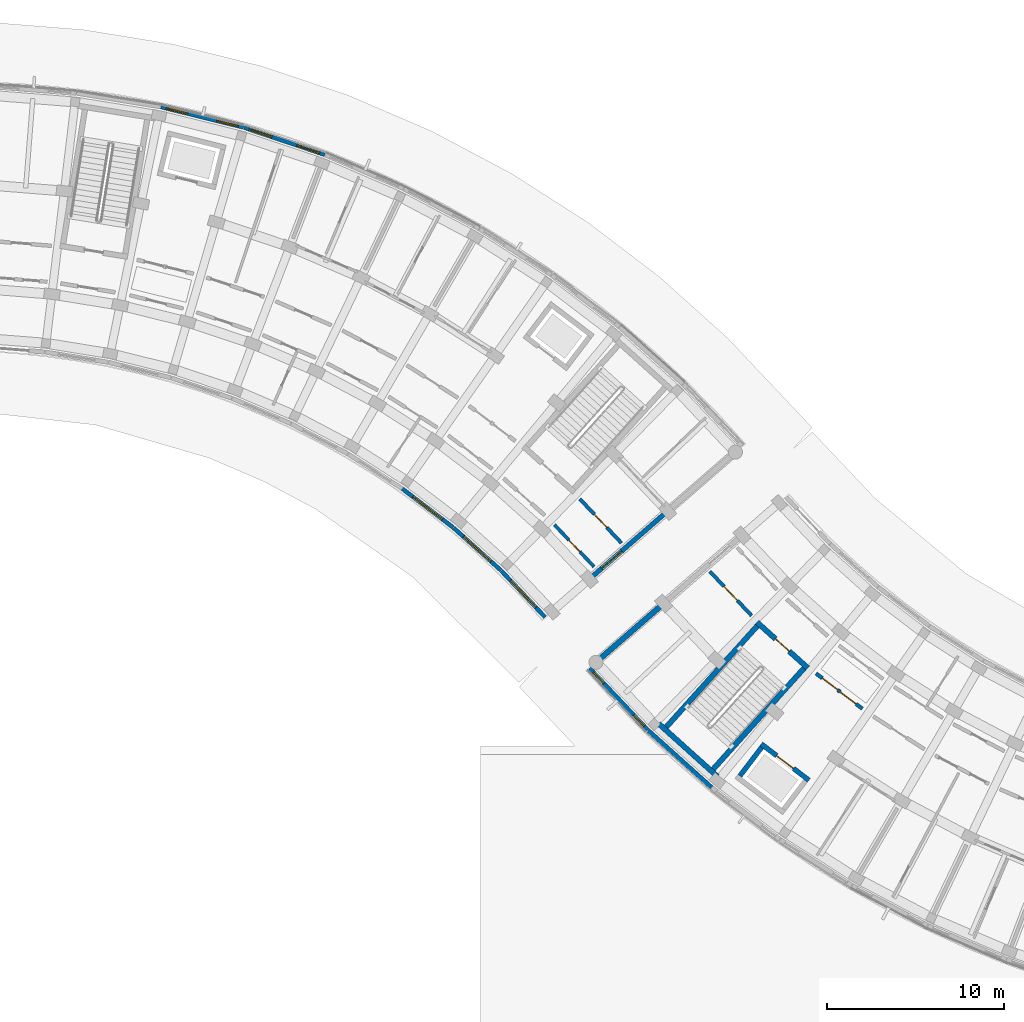
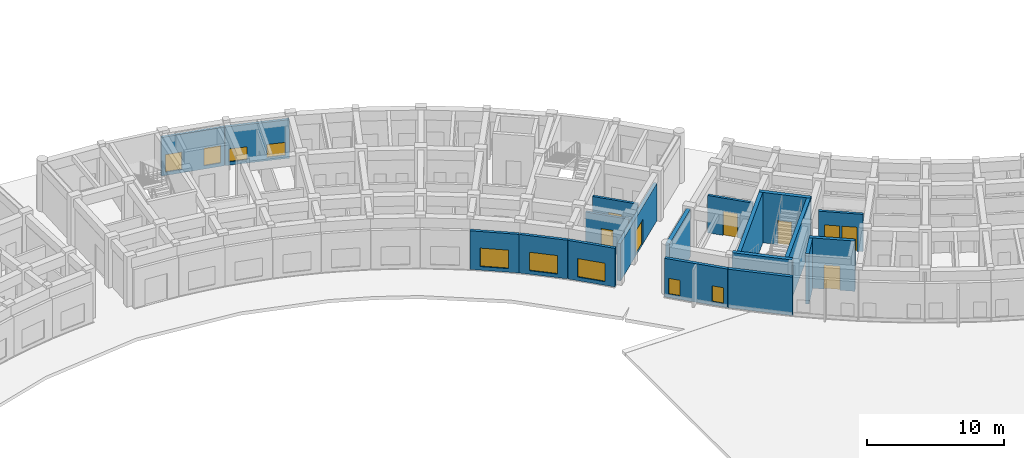
# One storey, part 36 of 61: 19 walls, 9 windows, 8 doors, 17 openings.
"""IFC4 building model written with IfcOpenShell, lengths in metres."""

from ifc_helpers import new_model, si_unit, direction, frame, frame_2d, origin, place, context, subcontext, project, spatial, rectangle, extrude, material, layer, layer_set, type_object, element, fill, save


model = new_model("IFC4")

# Units and contexts
model_context = context("Model", 3, precision=1e-05, world=origin(), true_north=direction((0.0, 1.0)))
body_context = subcontext(model_context, "Body", "Model", "MODEL_VIEW")
ifc_project = project(units=[si_unit("LENGTHUNIT", "METRE"), si_unit("AREAUNIT", "SQUARE_METRE"), si_unit("VOLUMEUNIT", "CUBIC_METRE"), si_unit("PLANEANGLEUNIT", "RADIAN"), si_unit("MASSUNIT", "GRAM", prefix="KILO")], contexts=[model_context])

# Site, building, storey
site_placement = place(None, origin())
site = spatial("IfcSite", under=ifc_project, at=site_placement, CompositionType="ELEMENT")
building_placement = place(site_placement, origin())
building = spatial("IfcBuilding", under=site, at=building_placement, Name="Zimvara Arc Housing Community", CompositionType="ELEMENT")
storey_placement = place(building_placement, origin())
storey = spatial("IfcBuildingStorey", under=building, at=storey_placement, Name="L00", CompositionType="ELEMENT", Elevation=0.0)

# Wall, opening, window
ifc_material_1 = material(Name="Board-Marked Fair-Faced Concrete C35/45", Category="concrete")
ifc_layer_1 = layer(ifc_material_1, 0.22998046875)
ifc_layer_set_1 = layer_set([ifc_layer_1], Name="Board-Marked Fair-Faced Concrete C35/45")
wall_type_1 = type_object("IfcWallType", Name="EWL-CONC-230", PredefinedType="SOLIDWALL", material=ifc_layer_set_1)
wall_1_placement = place(storey_placement, frame((70.583251953125, 81.056396484375, 0.0), z_axis=(0.0, 0.0, 1.0), x_axis=(0.795473707045, -0.605988103349, 0.0)))
wall_1 = element("IfcWall", 1, at=wall_1_placement, inside=storey, type_object=wall_type_1, Name="ewall:blkB:L00:in:b7", PredefinedType="SOLIDWALL", context=body_context, shape_type="SweptSolid", body=[
    extrude(rectangle(XDim=3.603759765625, YDim=0.22998046875, at=frame_2d((1.8017578125, 0.0))), origin(), (0.0, 0.0, 1.0), 3.449951171875),
])
opening_1_placement = place(wall_1_placement, frame((0.751708984375, 0.0, 0.320068359375)))
opening_1 = element("IfcOpeningElement", 2, at=opening_1_placement, cuts=wall_1, Name="Opening W09", PredefinedType="OPENING", context=body_context, shape_type="SweptSolid", body=[
    extrude(rectangle(XDim=2.10009765625, YDim=1.64990234375, at=frame_2d((1.050048828125, 0.824951171875))), frame((0.0, 0.125, 0.0), z_axis=(0.0, -1.0, 0.0), x_axis=(1.0, 0.0, 0.0)), (0.0, 0.0, 1.0), 0.25),
])
ifc_material_2 = material(Name="Solar Control Low-E Double Glazing", Category="glass")
window_type_1 = type_object("IfcWindowType", Name="WIN-RES-2100x1650", PartitioningType="TRIPLE_PANEL_VERTICAL", PredefinedType="WINDOW", material=ifc_material_2)
window_1_placement = place(opening_1_placement, origin())
window_1 = element("IfcWindow", 3, at=window_1_placement, inside=storey, type_object=window_type_1, Name="win:blkB:L00:in:b7", OverallHeight=1.64990234375, OverallWidth=2.10009765625, PartitioningType="TRIPLE_PANEL_VERTICAL", PredefinedType="WINDOW", context=body_context, shape_type="SweptSolid", body=[
    extrude(rectangle(XDim=2.10009765625, YDim=1.64990234375, at=frame_2d((1.050048828125, 0.824951171875))), frame((0.0, 0.030029296875, 0.0), z_axis=(0.0, -1.0, 0.0), x_axis=(1.0, 0.0, 0.0)), (0.0, 0.0, 1.0), 0.06005859375),
])
fill(opening_1, window_1)

wall_2_placement = place(storey_placement, frame((73.480712890625, 78.84716796875, 0.0), z_axis=(0.0, 0.0, 1.0), x_axis=(0.743385092197, -0.668863666751, 0.0)))
wall_2 = element("IfcWall", 4, at=wall_2_placement, inside=storey, type_object=wall_type_1, Name="ewall:blkB:L00:in:b8", PredefinedType="SOLIDWALL", context=body_context, shape_type="SweptSolid", body=[
    extrude(rectangle(XDim=3.603759765625, YDim=0.22998046875, at=frame_2d((1.8017578125, 0.0))), origin(), (0.0, 0.0, 1.0), 3.449951171875),
])
opening_2_placement = place(wall_2_placement, frame((0.751708984375, 0.0, 0.320068359375)))
opening_2 = element("IfcOpeningElement", 5, at=opening_2_placement, cuts=wall_2, Name="Opening W09", PredefinedType="OPENING", context=body_context, shape_type="SweptSolid", body=[
    extrude(rectangle(XDim=2.10009765625, YDim=1.64990234375, at=frame_2d((1.050048828125, 0.824951171875))), frame((0.0, 0.125, 0.0), z_axis=(0.0, -1.0, 0.0), x_axis=(1.0, 0.0, 0.0)), (0.0, 0.0, 1.0), 0.25),
])
window_2_placement = place(opening_2_placement, origin())
window_2 = element("IfcWindow", 6, at=window_2_placement, inside=storey, type_object=window_type_1, Name="win:blkB:L00:in:b8", OverallHeight=1.64990234375, OverallWidth=2.10009765625, PartitioningType="TRIPLE_PANEL_VERTICAL", PredefinedType="WINDOW", context=body_context, shape_type="SweptSolid", body=[
    extrude(rectangle(XDim=2.10009765625, YDim=1.64990234375, at=frame_2d((1.050048828125, 0.824951171875))), frame((0.0, 0.030029296875, 0.0), z_axis=(0.0, -1.0, 0.0), x_axis=(1.0, 0.0, 0.0)), (0.0, 0.0, 1.0), 0.06005859375),
])
fill(opening_2, window_2)

wall_3_placement = place(storey_placement, frame((76.188232421875, 76.40869140625, 0.0), z_axis=(0.0, 0.0, 1.0), x_axis=(0.686315111338, -0.727304315915, 0.0)))
wall_3 = element("IfcWall", 7, at=wall_3_placement, inside=storey, type_object=wall_type_1, Name="ewall:blkB:L00:in:b9", PredefinedType="SOLIDWALL", context=body_context, shape_type="SweptSolid", body=[
    extrude(rectangle(XDim=3.603515625, YDim=0.22998046875, at=frame_2d((1.8017578125, 0.0))), origin(), (0.0, 0.0, 1.0), 3.449951171875),
])
opening_3_placement = place(wall_3_placement, frame((0.751708984375, 0.0, 0.320068359375)))
opening_3 = element("IfcOpeningElement", 8, at=opening_3_placement, cuts=wall_3, Name="Opening W09", PredefinedType="OPENING", context=body_context, shape_type="SweptSolid", body=[
    extrude(rectangle(XDim=2.10009765625, YDim=1.64990234375, at=frame_2d((1.050048828125, 0.824951171875))), frame((0.0, 0.125, 0.0), z_axis=(0.0, -1.0, 0.0), x_axis=(1.0, 0.0, 0.0)), (0.0, 0.0, 1.0), 0.25),
])
window_3_placement = place(opening_3_placement, origin())
window_3 = element("IfcWindow", 9, at=window_3_placement, inside=storey, type_object=window_type_1, Name="win:blkB:L00:in:b9", OverallHeight=1.64990234375, OverallWidth=2.10009765625, PartitioningType="TRIPLE_PANEL_VERTICAL", PredefinedType="WINDOW", context=body_context, shape_type="SweptSolid", body=[
    extrude(rectangle(XDim=2.10009765625, YDim=1.64990234375, at=frame_2d((1.050048828125, 0.824951171875))), frame((0.0, 0.030029296875, 0.0), z_axis=(0.0, -1.0, 0.0), x_axis=(1.0, 0.0, 0.0)), (0.0, 0.0, 1.0), 0.06005859375),
])
fill(opening_3, window_3)

# Wall, opening, door
ifc_material_3 = material(Name="Board-Marked Fair-Faced Concrete C35/45", Category="concrete")
ifc_layer_2 = layer(ifc_material_3, 0.264892578125)
ifc_layer_set_2 = layer_set([ifc_layer_2], Name="Board-Marked Fair-Faced Concrete C35/45")
wall_type_2 = type_object("IfcWallType", Name="EWL-CONC-265", PredefinedType="SOLIDWALL", material=ifc_layer_set_2)
wall_4_placement = place(storey_placement, frame((79.233642578125, 74.2587890625, 0.0), z_axis=(0.0, 0.0, 1.0), x_axis=(0.754717680958, 0.656049710044, 0.0)))
wall_4 = element("IfcWall", 10, at=wall_4_placement, inside=storey, type_object=wall_type_2, Name="ewall:blkB:L00:gN", PredefinedType="SOLIDWALL", context=body_context, shape_type="SweptSolid", body=[
    extrude(rectangle(XDim=8.199951171875, YDim=0.264892578125, at=frame_2d((4.10009765625, 0.0))), origin(), (0.0, 0.0, 1.0), 3.340087890625),
])
opening_4_placement = place(wall_4_placement, frame((3.489990234375, 0.0, 0.0)))
opening_4 = element("IfcOpeningElement", 11, at=opening_4_placement, cuts=wall_4, Name="Opening ED01", PredefinedType="OPENING", context=body_context, shape_type="SweptSolid", body=[
    extrude(rectangle(XDim=1.5, YDim=2.199951171875, at=frame_2d((0.75, 1.10009765625))), frame((0.0, 0.142333984375, 0.0), z_axis=(0.0, -1.0, 0.0), x_axis=(1.0, 0.0, 0.0)), (0.0, 0.0, 1.0), 0.284912109375),
])
ifc_material_4 = material(Name="Anodised Aluminium AW-6063", Category="aluminium")
door_type_1 = type_object("IfcDoorType", Name="EDR-EXIT-1500x2200", OperationType="DOUBLE_DOOR_SINGLE_SWING", PredefinedType="DOOR", material=ifc_material_4)
door_1_placement = place(opening_4_placement, origin())
door_1 = element("IfcDoor", 12, at=door_1_placement, inside=storey, type_object=door_type_1, Name="edoor:blkB:L00:corr_exit:gN", OperationType="DOUBLE_DOOR_SINGLE_SWING", OverallHeight=2.199951171875, OverallWidth=1.5, PredefinedType="DOOR", context=body_context, shape_type="SweptSolid", body=[
    extrude(rectangle(XDim=1.5, YDim=2.199951171875, at=frame_2d((0.75, 1.10009765625))), frame((0.0, 0.02490234375, 0.0), z_axis=(0.0, -1.0, 0.0), x_axis=(1.0, 0.0, 0.0)), (0.0, 0.0, 1.0), 0.050048828125),
])
fill(opening_4, door_1)

# Wall, openings, windows
ifc_material_5 = material(Name="Board-Marked Fair-Faced Concrete C35/45", Category="concrete")
ifc_layer_3 = layer(ifc_material_5, 0.218017578125)
ifc_layer_set_3 = layer_set([ifc_layer_3], Name="Board-Marked Fair-Faced Concrete C35/45")
wall_type_3 = type_object("IfcWallType", Name="EWL-VAR-12", PredefinedType="SOLIDWALL", material=ifc_layer_set_3)
wall_5_placement = place(storey_placement, frame((56.918701171875, 102.670654296875, 0.0), z_axis=(0.0, 0.0, 1.0), x_axis=(0.970716115822, -0.240229520426, 0.0)))
wall_5 = element("IfcWall", 13, at=wall_5_placement, inside=storey, type_object=wall_type_3, Name="ewall:blkB:L00:out:b2", PredefinedType="SOLIDWALL", context=body_context, shape_type="SweptSolid", body=[
    extrude(rectangle(XDim=4.80908203125, YDim=0.218017578125, at=frame_2d((2.404541015625, 0.0))), origin(), (0.0, 0.0, 1.0), 3.449951171875),
])
opening_5_placement = place(wall_5_placement, frame((0.300048828125, 0.0, 0.300048828125)))
opening_5 = element("IfcOpeningElement", 14, at=opening_5_placement, cuts=wall_5, Name="Opening W40", PredefinedType="OPENING", context=body_context, shape_type="SweptSolid", body=[
    extrude(rectangle(XDim=1.260009765625, YDim=1.56005859375, at=frame_2d((0.6298828125, 0.780029296875))), frame((0.0, 0.118896484375, 0.0), z_axis=(0.0, -1.0, 0.0), x_axis=(1.0, 0.0, 0.0)), (0.0, 0.0, 1.0), 0.238037109375),
])
opening_6_placement = place(wall_5_placement, frame((3.248779296875, 0.0, 0.300048828125)))
opening_6 = element("IfcOpeningElement", 15, at=opening_6_placement, cuts=wall_5, Name="Opening W40", PredefinedType="OPENING", context=body_context, shape_type="SweptSolid", body=[
    extrude(rectangle(XDim=1.260009765625, YDim=1.56005859375, at=frame_2d((0.6298828125, 0.780029296875))), frame((0.0, 0.118896484375, 0.0), z_axis=(0.0, -1.0, 0.0), x_axis=(1.0, 0.0, 0.0)), (0.0, 0.0, 1.0), 0.238037109375),
])
ifc_material_6 = material(Name="Solar Control Low-E Double Glazing", Category="glass")
window_type_2 = type_object("IfcWindowType", Name="WIN-MOD-1260x1560", PartitioningType="DOUBLE_PANEL_VERTICAL", PredefinedType="WINDOW", material=ifc_material_6)
window_4_placement = place(opening_5_placement, origin())
window_4 = element("IfcWindow", 16, at=window_4_placement, inside=storey, type_object=window_type_2, Name="win:blkB:L00:out:b2:1", OverallHeight=1.56005859375, OverallWidth=1.260009765625, PartitioningType="DOUBLE_PANEL_VERTICAL", PredefinedType="WINDOW", context=body_context, shape_type="SweptSolid", body=[
    extrude(rectangle(XDim=1.260009765625, YDim=1.56005859375, at=frame_2d((0.6298828125, 0.780029296875))), frame((0.0, 0.030029296875, 0.0), z_axis=(0.0, -1.0, 0.0), x_axis=(1.0, 0.0, 0.0)), (0.0, 0.0, 1.0), 0.06005859375),
])
fill(opening_5, window_4)
window_5_placement = place(opening_6_placement, origin())
window_5 = element("IfcWindow", 17, at=window_5_placement, inside=storey, type_object=window_type_2, Name="win:blkB:L00:out:b2:2", OverallHeight=1.56005859375, OverallWidth=1.260009765625, PartitioningType="DOUBLE_PANEL_VERTICAL", PredefinedType="WINDOW", context=body_context, shape_type="SweptSolid", body=[
    extrude(rectangle(XDim=1.260009765625, YDim=1.56005859375, at=frame_2d((0.6298828125, 0.780029296875))), frame((0.0, 0.030029296875, 0.0), z_axis=(0.0, -1.0, 0.0), x_axis=(1.0, 0.0, 0.0)), (0.0, 0.0, 1.0), 0.06005859375),
])
fill(opening_6, window_5)

ifc_material_7 = material(Name="Board-Marked Fair-Faced Concrete C35/45", Category="concrete")
ifc_layer_4 = layer(ifc_material_7, 0.22412109375)
ifc_layer_set_4 = layer_set([ifc_layer_4], Name="Board-Marked Fair-Faced Concrete C35/45")
wall_type_4 = type_object("IfcWallType", Name="EWL-VAR-13", PredefinedType="SOLIDWALL", material=ifc_layer_set_4)
wall_6_placement = place(storey_placement, frame((61.625244140625, 101.50439453125, 0.0), z_axis=(0.0, 0.0, 1.0), x_axis=(0.947867898788, -0.318663531717, 0.0)))
wall_6 = element("IfcWall", 18, at=wall_6_placement, inside=storey, type_object=wall_type_4, Name="ewall:blkB:L00:out:b3", PredefinedType="SOLIDWALL", context=body_context, shape_type="SweptSolid", body=[
    extrude(rectangle(XDim=4.80908203125, YDim=0.22412109375, at=frame_2d((2.404541015625, 0.0))), origin(), (0.0, 0.0, 1.0), 3.449951171875),
])
opening_7_placement = place(wall_6_placement, frame((0.300048828125, 0.0, 0.300048828125)))
opening_7 = element("IfcOpeningElement", 19, at=opening_7_placement, cuts=wall_6, Name="Opening W41", PredefinedType="OPENING", context=body_context, shape_type="SweptSolid", body=[
    extrude(rectangle(XDim=1.360107421875, YDim=1.159912109375, at=frame_2d((0.68017578125, 0.580078125))), frame((0.0, 0.1220703125, 0.0), z_axis=(0.0, -1.0, 0.0), x_axis=(1.0, 0.0, 0.0)), (0.0, 0.0, 1.0), 0.244140625),
])
opening_8_placement = place(wall_6_placement, frame((3.14892578125, 0.0, 0.300048828125)))
opening_8 = element("IfcOpeningElement", 20, at=opening_8_placement, cuts=wall_6, Name="Opening W41", PredefinedType="OPENING", context=body_context, shape_type="SweptSolid", body=[
    extrude(rectangle(XDim=1.360107421875, YDim=1.159912109375, at=frame_2d((0.68017578125, 0.580078125))), frame((0.0, 0.1220703125, 0.0), z_axis=(0.0, -1.0, 0.0), x_axis=(1.0, 0.0, 0.0)), (0.0, 0.0, 1.0), 0.244140625),
])
ifc_material_8 = material(Name="Solar Control Low-E Double Glazing", Category="glass")
window_type_3 = type_object("IfcWindowType", Name="WIN-MOD-1360x1160", PartitioningType="DOUBLE_PANEL_VERTICAL", PredefinedType="WINDOW", material=ifc_material_8)
window_6_placement = place(opening_7_placement, origin())
window_6 = element("IfcWindow", 21, at=window_6_placement, inside=storey, type_object=window_type_3, Name="win:blkB:L00:out:b3:1", OverallHeight=1.159912109375, OverallWidth=1.360107421875, PartitioningType="DOUBLE_PANEL_VERTICAL", PredefinedType="WINDOW", context=body_context, shape_type="SweptSolid", body=[
    extrude(rectangle(XDim=1.360107421875, YDim=1.159912109375, at=frame_2d((0.68017578125, 0.580078125))), frame((0.0, 0.030029296875, 0.0), z_axis=(0.0, -1.0, 0.0), x_axis=(1.0, 0.0, 0.0)), (0.0, 0.0, 1.0), 0.06005859375),
])
fill(opening_7, window_6)
window_7_placement = place(opening_8_placement, origin())
window_7 = element("IfcWindow", 22, at=window_7_placement, inside=storey, type_object=window_type_3, Name="win:blkB:L00:out:b3:2", OverallHeight=1.159912109375, OverallWidth=1.360107421875, PartitioningType="DOUBLE_PANEL_VERTICAL", PredefinedType="WINDOW", context=body_context, shape_type="SweptSolid", body=[
    extrude(rectangle(XDim=1.360107421875, YDim=1.159912109375, at=frame_2d((0.68017578125, 0.580078125))), frame((0.0, 0.030029296875, 0.0), z_axis=(0.0, -1.0, 0.0), x_axis=(1.0, 0.0, 0.0)), (0.0, 0.0, 1.0), 0.06005859375),
])
fill(opening_8, window_7)

ifc_material_9 = material(Name="Board-Marked Fair-Faced Concrete C35/45", Category="concrete")
ifc_layer_5 = layer(ifc_material_9, 0.248046875)
ifc_layer_set_5 = layer_set([ifc_layer_5], Name="Board-Marked Fair-Faced Concrete C35/45")
wall_type_5 = type_object("IfcWallType", Name="EWL-VAR-17", PredefinedType="SOLIDWALL", material=ifc_layer_set_5)
wall_7_placement = place(storey_placement, frame((81.178955078125, 70.888671875, 0.0), z_axis=(0.0, 0.0, 1.0), x_axis=(0.686325330257, -0.727294672776, 0.0)))
wall_7 = element("IfcWall", 23, at=wall_7_placement, inside=storey, type_object=wall_type_5, Name="ewall:blkC:L00:out:b0", PredefinedType="SOLIDWALL", context=body_context, shape_type="SweptSolid", body=[
    extrude(rectangle(XDim=4.80908203125, YDim=0.248046875, at=frame_2d((2.404541015625, 0.0))), origin(), (0.0, 0.0, 1.0), 3.449951171875),
])
opening_9_placement = place(wall_7_placement, frame((0.300048828125, 0.0, 0.300048828125)))
opening_9 = element("IfcOpeningElement", 24, at=opening_9_placement, cuts=wall_7, Name="Opening W23", PredefinedType="OPENING", context=body_context, shape_type="SweptSolid", body=[
    extrude(rectangle(XDim=0.8798828125, YDim=1.419921875, at=frame_2d((0.43994140625, 0.7099609375))), frame((0.0, 0.134033203125, 0.0), z_axis=(0.0, -1.0, 0.0), x_axis=(1.0, 0.0, 0.0)), (0.0, 0.0, 1.0), 0.26806640625),
])
opening_10_placement = place(wall_7_placement, frame((3.62890625, 0.0, 0.300048828125)))
opening_10 = element("IfcOpeningElement", 25, at=opening_10_placement, cuts=wall_7, Name="Opening W23", PredefinedType="OPENING", context=body_context, shape_type="SweptSolid", body=[
    extrude(rectangle(XDim=0.8798828125, YDim=1.419921875, at=frame_2d((0.43994140625, 0.7099609375))), frame((0.0, 0.134033203125, 0.0), z_axis=(0.0, -1.0, 0.0), x_axis=(1.0, 0.0, 0.0)), (0.0, 0.0, 1.0), 0.26806640625),
])
ifc_material_10 = material(Name="Solar Control Low-E Double Glazing", Category="glass")
window_type_4 = type_object("IfcWindowType", Name="WIN-MOD-880x1420", PartitioningType="DOUBLE_PANEL_VERTICAL", PredefinedType="WINDOW", material=ifc_material_10)
window_8_placement = place(opening_9_placement, origin())
window_8 = element("IfcWindow", 26, at=window_8_placement, inside=storey, type_object=window_type_4, Name="win:blkC:L00:out:b0:1", OverallHeight=1.419921875, OverallWidth=0.8798828125, PartitioningType="DOUBLE_PANEL_VERTICAL", PredefinedType="WINDOW", context=body_context, shape_type="SweptSolid", body=[
    extrude(rectangle(XDim=0.8798828125, YDim=1.419921875, at=frame_2d((0.43994140625, 0.7099609375))), frame((0.0, 0.030029296875, 0.0), z_axis=(0.0, -1.0, 0.0), x_axis=(1.0, 0.0, 0.0)), (0.0, 0.0, 1.0), 0.06005859375),
])
fill(opening_9, window_8)
window_9_placement = place(opening_10_placement, origin())
window_9 = element("IfcWindow", 27, at=window_9_placement, inside=storey, type_object=window_type_4, Name="win:blkC:L00:out:b0:2", OverallHeight=1.419921875, OverallWidth=0.8798828125, PartitioningType="DOUBLE_PANEL_VERTICAL", PredefinedType="WINDOW", context=body_context, shape_type="SweptSolid", body=[
    extrude(rectangle(XDim=0.8798828125, YDim=1.419921875, at=frame_2d((0.43994140625, 0.7099609375))), frame((0.0, 0.030029296875, 0.0), z_axis=(0.0, -1.0, 0.0), x_axis=(1.0, 0.0, 0.0)), (0.0, 0.0, 1.0), 0.06005859375),
])
fill(opening_10, window_9)

# Wall
ifc_material_11 = material(Name="Board-Marked Fair-Faced Concrete C35/45", Category="concrete")
ifc_layer_6 = layer(ifc_material_11, 0.251953125)
ifc_layer_set_6 = layer_set([ifc_layer_6], Name="Board-Marked Fair-Faced Concrete C35/45")
wall_type_6 = type_object("IfcWallType", Name="EWL-VAR-18", PredefinedType="SOLIDWALL", material=ifc_layer_set_6)
wall_8_placement = place(storey_placement, frame((84.508056640625, 67.36328125, 0.0), z_axis=(0.0, 0.0, 1.0), x_axis=(0.743387539862, -0.668860946369, 0.0)))
element("IfcWall", 28, at=wall_8_placement, inside=storey, type_object=wall_type_6, Name="ewall:blkC:L00:out:b1", PredefinedType="SOLIDWALL", context=body_context, shape_type="SweptSolid", body=[
    extrude(rectangle(XDim=4.80908203125, YDim=0.251953125, at=frame_2d((2.404541015625, 0.0))), origin(), (0.0, 0.0, 1.0), 3.449951171875),
])

# Wall, openings, doors
ifc_material_12 = material(Name="Concrete C35/45", Category="concrete")
ifc_layer_7 = layer(ifc_material_12, 0.2099609375)
ifc_layer_set_7 = layer_set([ifc_layer_7], Name="Concrete C35/45")
wall_type_7 = type_object("IfcWallType", Name="IWL-CCF-210", PredefinedType="SOLIDWALL", material=ifc_layer_set_7)
wall_9_placement = place(storey_placement, frame((94.001220703125, 70.6015625, 0.0), z_axis=(0.0, 0.0, 1.0), x_axis=(0.795498026433, -0.605956178235, 0.0)))
wall_9 = element("IfcWall", 29, at=wall_9_placement, inside=storey, type_object=wall_type_7, Name="iwall:blkC:L00:ll_div:b2", PredefinedType="SOLIDWALL", context=body_context, shape_type="SweptSolid", body=[
    extrude(rectangle(XDim=3.296142578125, YDim=0.2099609375, at=frame_2d((1.64794921875, 0.0))), origin(), (0.0, 0.0, 1.0), 3.340087890625),
])
opening_11_placement = place(wall_9_placement, frame((0.449951171875, 0.0, 0.0)))
opening_11 = element("IfcOpeningElement", 30, at=opening_11_placement, cuts=wall_9, Name="Opening FD-CCF1", PredefinedType="OPENING", context=body_context, shape_type="SweptSolid", body=[
    extrude(rectangle(XDim=1.10009765625, YDim=2.14990234375, at=frame_2d((0.550048828125, 1.074951171875))), frame((0.0, 0.114990234375, 0.0), z_axis=(0.0, -1.0, 0.0), x_axis=(1.0, 0.0, 0.0)), (0.0, 0.0, 1.0), 0.22998046875),
])
opening_12_placement = place(wall_9_placement, frame((1.72607421875, 0.0, 0.0)))
opening_12 = element("IfcOpeningElement", 31, at=opening_12_placement, cuts=wall_9, Name="Opening D07", PredefinedType="OPENING", context=body_context, shape_type="SweptSolid", body=[
    extrude(rectangle(XDim=1.1201171875, YDim=2.14990234375, at=frame_2d((0.56005859375, 1.074951171875))), frame((0.0, 0.114990234375, 0.0), z_axis=(0.0, -1.0, 0.0), x_axis=(1.0, 0.0, 0.0)), (0.0, 0.0, 1.0), 0.22998046875),
])
ifc_material_13 = material(Name="Mozambican Hardwood", Category="wood")
door_type_2 = type_object("IfcDoorType", Name="IDR-AMN-1120x2150", OperationType="NOTDEFINED", PredefinedType="DOOR", material=ifc_material_13)
door_2_placement = place(opening_12_placement, origin())
door_2 = element("IfcDoor", 32, at=door_2_placement, inside=storey, type_object=door_type_2, Name="idoor:blkC:L00:rs_in:b2", OperationType="SINGLE_SWING_RIGHT", OverallHeight=2.14990234375, OverallWidth=1.1201171875, PredefinedType="DOOR", context=body_context, shape_type="SweptSolid", body=[
    extrude(rectangle(XDim=1.1201171875, YDim=2.14990234375, at=frame_2d((0.56005859375, 1.074951171875))), frame((0.0, 0.02490234375, 0.0), z_axis=(0.0, -1.0, 0.0), x_axis=(1.0, 0.0, 0.0)), (0.0, 0.0, 1.0), 0.050048828125),
])
fill(opening_12, door_2)
ifc_material_14 = material(Name="Anodised Aluminium AW-6063", Category="aluminium")
door_type_3 = type_object("IfcDoorType", Name="IDR-CCF-1100x2150", OperationType="NOTDEFINED", PredefinedType="DOOR", material=ifc_material_14)
door_3_placement = place(opening_11_placement, origin())
door_3 = element("IfcDoor", 33, at=door_3_placement, inside=storey, type_object=door_type_3, Name="idoor:blkC:L00:ll_in:b2", OperationType="SINGLE_SWING_LEFT", OverallHeight=2.14990234375, OverallWidth=1.10009765625, PredefinedType="DOOR", context=body_context, shape_type="SweptSolid", body=[
    extrude(rectangle(XDim=1.10009765625, YDim=2.14990234375, at=frame_2d((0.550048828125, 1.074951171875))), frame((0.0, 0.02490234375, 0.0), z_axis=(0.0, -1.0, 0.0), x_axis=(1.0, 0.0, 0.0)), (0.0, 0.0, 1.0), 0.050048828125),
])
fill(opening_11, door_3)

# Wall, opening, door
ifc_material_15 = material(Name="Concrete C35/45", Category="concrete")
ifc_layer_8 = layer(ifc_material_15, 0.18994140625)
ifc_layer_set_8 = layer_set([ifc_layer_8], Name="Concrete C35/45")
wall_type_8 = type_object("IfcWallType", Name="IWL-CORR-190", PredefinedType="SOLIDWALL", material=ifc_layer_set_8)
wall_10_placement = place(storey_placement, frame((79.1953125, 79.016357421875, 0.0), z_axis=(0.0, 0.0, 1.0), x_axis=(0.686307658735, -0.727311348434, 0.0)))
wall_10 = element("IfcWall", 34, at=wall_10_placement, inside=storey, type_object=wall_type_8, Name="iwall:blkB:L00:corr_in:b9", PredefinedType="SOLIDWALL", context=body_context, shape_type="SweptSolid", body=[
    extrude(rectangle(XDim=3.268798828125, YDim=0.18994140625, at=frame_2d((1.63427734375, 0.0))), origin(), (0.0, 0.0, 1.0), 3.340087890625),
])
opening_13_placement = place(wall_10_placement, frame((1.17431640625, 0.0, 0.0)))
opening_13 = element("IfcOpeningElement", 35, at=opening_13_placement, cuts=wall_10, Name="Opening D02", PredefinedType="OPENING", context=body_context, shape_type="SweptSolid", body=[
    extrude(rectangle(XDim=0.919921875, YDim=2.10009765625, at=frame_2d((0.4599609375, 1.050048828125))), frame((0.0, 0.10498046875, 0.0), z_axis=(0.0, -1.0, 0.0), x_axis=(1.0, 0.0, 0.0)), (0.0, 0.0, 1.0), 0.2099609375),
])
ifc_material_16 = material(Name="Mozambican Hardwood", Category="wood")
door_type_4 = type_object("IfcDoorType", Name="IDR-RM-0920x2100", OperationType="NOTDEFINED", PredefinedType="DOOR", material=ifc_material_16)
door_4_placement = place(opening_13_placement, origin())
door_4 = element("IfcDoor", 36, at=door_4_placement, inside=storey, type_object=door_type_4, Name="idoor:blkB:L00:in_rm:b9", OperationType="SINGLE_SWING_LEFT", OverallHeight=2.10009765625, OverallWidth=0.919921875, PredefinedType="DOOR", context=body_context, shape_type="SweptSolid", body=[
    extrude(rectangle(XDim=0.919921875, YDim=2.10009765625, at=frame_2d((0.4599609375, 1.050048828125))), frame((0.0, 0.02490234375, 0.0), z_axis=(0.0, -1.0, 0.0), x_axis=(1.0, 0.0, 0.0)), (0.0, 0.0, 1.0), 0.050048828125),
])
fill(opening_13, door_4)

ifc_material_17 = material(Name="Concrete C35/45", Category="concrete")
ifc_layer_9 = layer(ifc_material_17, 0.199951171875)
ifc_layer_set_9 = layer_set([ifc_layer_9], Name="Concrete C35/45")
wall_type_9 = type_object("IfcWallType", Name="IWL-CORR-200", PredefinedType="SOLIDWALL", material=ifc_layer_set_9)
wall_11_placement = place(storey_placement, frame((80.627685546875, 80.48291015625, 0.0), z_axis=(0.0, 0.0, 1.0), x_axis=(0.686310507227, -0.727308660522, 0.0)))
wall_11 = element("IfcWall", 37, at=wall_11_placement, inside=storey, type_object=wall_type_9, Name="iwall:blkB:L00:corr_out:b9", PredefinedType="SOLIDWALL", context=body_context, shape_type="SweptSolid", body=[
    extrude(rectangle(XDim=3.43603515625, YDim=0.199951171875, at=frame_2d((1.718017578125, 0.0))), origin(), (0.0, 0.0, 1.0), 3.340087890625),
])
opening_14_placement = place(wall_11_placement, frame((1.2080078125, 0.0, 0.0)))
opening_14 = element("IfcOpeningElement", 38, at=opening_14_placement, cuts=wall_11, Name="Opening FD-FL2", PredefinedType="OPENING", context=body_context, shape_type="SweptSolid", body=[
    extrude(rectangle(XDim=1.02001953125, YDim=2.14990234375, at=frame_2d((0.510009765625, 1.074951171875))), frame((0.0, 0.10986328125, 0.0), z_axis=(0.0, -1.0, 0.0), x_axis=(1.0, 0.0, 0.0)), (0.0, 0.0, 1.0), 0.219970703125),
])
ifc_material_18 = material(Name="Mozambican Hardwood", Category="wood")
door_type_5 = type_object("IfcDoorType", Name="IDR-FLAT-1020x2150", OperationType="NOTDEFINED", PredefinedType="DOOR", material=ifc_material_18)
door_5_placement = place(opening_14_placement, origin())
door_5 = element("IfcDoor", 39, at=door_5_placement, inside=storey, type_object=door_type_5, Name="idoor:blkB:L00:flat:b9", OperationType="SINGLE_SWING_RIGHT", OverallHeight=2.14990234375, OverallWidth=1.02001953125, PredefinedType="DOOR", context=body_context, shape_type="SweptSolid", body=[
    extrude(rectangle(XDim=1.02001953125, YDim=2.14990234375, at=frame_2d((0.510009765625, 1.074951171875))), frame((0.0, 0.02490234375, 0.0), z_axis=(0.0, -1.0, 0.0), x_axis=(1.0, 0.0, 0.0)), (0.0, 0.0, 1.0), 0.050048828125),
])
fill(opening_14, door_5)

wall_12_placement = place(storey_placement, frame((87.994140625, 76.3759765625, 0.0), z_axis=(0.0, 0.0, 1.0), x_axis=(0.686310507227, -0.727308660522, 0.0)))
wall_12 = element("IfcWall", 40, at=wall_12_placement, inside=storey, type_object=wall_type_9, Name="iwall:blkC:L00:corr_out:b0", PredefinedType="SOLIDWALL", context=body_context, shape_type="SweptSolid", body=[
    extrude(rectangle(XDim=3.43603515625, YDim=0.199951171875, at=frame_2d((1.718017578125, 0.0))), origin(), (0.0, 0.0, 1.0), 3.340087890625),
])
opening_15_placement = place(wall_12_placement, frame((1.16796875, 0.0, 0.0)))
opening_15 = element("IfcOpeningElement", 41, at=opening_15_placement, cuts=wall_12, Name="Opening FD-CCF1", PredefinedType="OPENING", context=body_context, shape_type="SweptSolid", body=[
    extrude(rectangle(XDim=1.10009765625, YDim=2.14990234375, at=frame_2d((0.550048828125, 1.074951171875))), frame((0.0, 0.10986328125, 0.0), z_axis=(0.0, -1.0, 0.0), x_axis=(1.0, 0.0, 0.0)), (0.0, 0.0, 1.0), 0.219970703125),
])
door_6_placement = place(opening_15_placement, origin())
door_6 = element("IfcDoor", 42, at=door_6_placement, inside=storey, type_object=door_type_3, Name="idoor:blkC:L00:b0_corr", OperationType="SINGLE_SWING_LEFT", OverallHeight=2.14990234375, OverallWidth=1.10009765625, PredefinedType="DOOR", context=body_context, shape_type="SweptSolid", body=[
    extrude(rectangle(XDim=1.10009765625, YDim=2.14990234375, at=frame_2d((0.550048828125, 1.074951171875))), frame((0.0, 0.02490234375, 0.0), z_axis=(0.0, -1.0, 0.0), x_axis=(1.0, 0.0, 0.0)), (0.0, 0.0, 1.0), 0.050048828125),
])
fill(opening_15, door_6)

ifc_material_19 = material(Name="Concrete C40/50", Category="concrete")
ifc_layer_10 = layer(ifc_material_19, 0.280029296875)
ifc_layer_set_10 = layer_set([ifc_layer_10], Name="Concrete C40/50")
wall_type_10 = type_object("IfcWallType", Name="WL-CORE-280", PredefinedType="SHEAR", material=ifc_layer_set_10)
wall_13_placement = place(storey_placement, frame((90.8994140625, 66.607177734375, 0.0), z_axis=(0.0, 0.0, 1.0), x_axis=(0.795439986025, -0.606032365994, 0.0)))
wall_13 = element("IfcWall", 43, at=wall_13_placement, inside=storey, type_object=wall_type_10, Name="lwall:LF-C1:L00:front", PredefinedType="SHEAR", context=body_context, shape_type="SweptSolid", body=[
    extrude(rectangle(XDim=3.389892578125, YDim=0.280029296875, at=frame_2d((1.69482421875, 0.0))), origin(), (0.0, 0.0, 1.0), 4.5),
])
opening_16_placement = place(wall_13_placement, frame((1.094970703125, 0.0, 0.0)))
opening_16 = element("IfcOpeningElement", 44, at=opening_16_placement, cuts=wall_13, Name="Opening LD-LF-C1", PredefinedType="OPENING", context=body_context, shape_type="SweptSolid", body=[
    extrude(rectangle(XDim=1.199951171875, YDim=2.14990234375, at=frame_2d((0.60009765625, 1.074951171875))), frame((0.0, 0.14990234375, 0.0), z_axis=(0.0, -1.0, 0.0), x_axis=(1.0, 0.0, 0.0)), (0.0, 0.0, 1.0), 0.300048828125),
])
ifc_material_20 = material(Name="Anodised Aluminium AW-6063", Category="aluminium")
door_type_6 = type_object("IfcDoorType", Name="IDR-LD-1200x2150", OperationType="DOUBLE_DOOR_SLIDING", PredefinedType="DOOR", material=ifc_material_20)
door_7_placement = place(opening_16_placement, origin())
door_7 = element("IfcDoor", 45, at=door_7_placement, inside=storey, type_object=door_type_6, Name="Lift LF-C1 Sliding Landing Door L00", OperationType="DOUBLE_DOOR_SLIDING", OverallHeight=2.14990234375, OverallWidth=1.199951171875, PredefinedType="DOOR", context=body_context, shape_type="SweptSolid", body=[
    extrude(rectangle(XDim=1.199951171875, YDim=2.14990234375, at=frame_2d((0.60009765625, 1.074951171875))), frame((0.0, 0.02490234375, 0.0), z_axis=(0.0, -1.0, 0.0), x_axis=(1.0, 0.0, 0.0)), (0.0, 0.0, 1.0), 0.050048828125),
])
fill(opening_16, door_7)

# Wall
wall_14_placement = place(storey_placement, frame((90.92578125, 66.410888671875, 0.0), z_axis=(0.0, 0.0, 1.0), x_axis=(-0.605948992168, -0.795503500238, 0.0)))
element("IfcWall", 46, at=wall_14_placement, inside=storey, type_object=wall_type_10, Name="lwall:LF-C1:L00:left", PredefinedType="SHEAR", context=body_context, shape_type="SweptSolid", body=[
    extrude(rectangle(XDim=2.02978515625, YDim=0.280029296875, at=frame_2d((1.014892578125, 0.0))), origin(), (0.0, 0.0, 1.0), 4.5),
])

# Wall, opening, door
ifc_material_21 = material(Name="Concrete C40/50", Category="concrete")
ifc_layer_11 = layer(ifc_material_21, 0.300048828125)
ifc_layer_set_11 = layer_set([ifc_layer_11], Name="Concrete C40/50")
wall_type_11 = type_object("IfcWallType", Name="WL-CORE-300", PredefinedType="SHEAR", material=ifc_layer_set_11)
wall_15_placement = place(storey_placement, frame((90.659912109375, 73.49853515625, 0.0), z_axis=(0.0, 0.0, 1.0), x_axis=(0.743375696158, -0.668874109501, 0.0)))
wall_15 = element("IfcWall", 47, at=wall_15_placement, inside=storey, type_object=wall_type_11, Name="cwall:ST-C1:L00:near", PredefinedType="SHEAR", context=body_context, shape_type="SweptSolid", body=[
    extrude(rectangle(XDim=3.8701171875, YDim=0.300048828125, at=frame_2d((1.93505859375, 0.0))), origin(), (0.0, 0.0, 1.0), 4.5),
])
opening_17_placement = place(wall_15_placement, frame((1.409912109375, 0.0, 0.0)))
opening_17 = element("IfcOpeningElement", 48, at=opening_17_placement, cuts=wall_15, Name="Opening FD-ST2", PredefinedType="OPENING", context=body_context, shape_type="SweptSolid", body=[
    extrude(rectangle(XDim=1.050048828125, YDim=2.14990234375, at=frame_2d((0.52490234375, 1.074951171875))), frame((0.0, 0.159912109375, 0.0), z_axis=(0.0, -1.0, 0.0), x_axis=(1.0, 0.0, 0.0)), (0.0, 0.0, 1.0), 0.320068359375),
])
ifc_material_22 = material(Name="Anodised Aluminium AW-6063", Category="aluminium")
door_type_7 = type_object("IfcDoorType", Name="IDR-ST-1050x2150", OperationType="NOTDEFINED", PredefinedType="DOOR", material=ifc_material_22)
door_8_placement = place(opening_17_placement, origin())
door_8 = element("IfcDoor", 49, at=door_8_placement, inside=storey, type_object=door_type_7, Name="idoor:ST-C1:L00:entry", OperationType="SINGLE_SWING_RIGHT", OverallHeight=2.14990234375, OverallWidth=1.050048828125, PredefinedType="DOOR", context=body_context, shape_type="SweptSolid", body=[
    extrude(rectangle(XDim=1.050048828125, YDim=2.14990234375, at=frame_2d((0.52490234375, 1.074951171875))), frame((0.0, 0.02490234375, 0.0), z_axis=(0.0, -1.0, 0.0), x_axis=(1.0, 0.0, 0.0)), (0.0, 0.0, 1.0), 0.050048828125),
])
fill(opening_17, door_8)

# Walls
wall_16_placement = place(storey_placement, frame((85.092529296875, 67.759521484375, 0.0), z_axis=(0.0, 0.0, 1.0), x_axis=(0.743372896184, -0.668877221333, 0.0)))
element("IfcWall", 50, at=wall_16_placement, inside=storey, type_object=wall_type_11, Name="cwall:ST-C1:L00:far", PredefinedType="SHEAR", context=body_context, shape_type="SweptSolid", body=[
    extrude(rectangle(XDim=4.47021484375, YDim=0.300048828125, at=frame_2d((2.235107421875, 0.0))), origin(), (0.0, 0.0, 1.0), 4.5),
])
wall_17_placement = place(storey_placement, frame((90.671142578125, 73.28662109375, 0.0), z_axis=(0.0, 0.0, 1.0), x_axis=(-0.668885797871, -0.743365179038, 0.0)))
element("IfcWall", 51, at=wall_17_placement, inside=storey, type_object=wall_type_11, Name="cwall:ST-C1:L00:left", PredefinedType="SHEAR", context=body_context, shape_type="SweptSolid", body=[
    extrude(rectangle(XDim=7.690185546875, YDim=0.300048828125, at=frame_2d((3.84521484375, 0.0))), origin(), (0.0, 0.0, 1.0), 4.5),
])
wall_18_placement = place(storey_placement, frame((93.324951171875, 70.898681640625, 0.0), z_axis=(0.0, 0.0, 1.0), x_axis=(-0.668868253964, -0.743380964808, 0.0)))
element("IfcWall", 52, at=wall_18_placement, inside=storey, type_object=wall_type_11, Name="cwall:ST-C1:L00:right", PredefinedType="SHEAR", context=body_context, shape_type="SweptSolid", body=[
    extrude(rectangle(XDim=7.68994140625, YDim=0.300048828125, at=frame_2d((3.844970703125, 0.0))), origin(), (0.0, 0.0, 1.0), 4.5),
])
ifc_material_23 = material(Name="Concrete C40/50", Category="concrete")
ifc_layer_12 = layer(ifc_material_23, 0.31005859375)
ifc_layer_set_12 = layer_set([ifc_layer_12], Name="Concrete C40/50")
wall_type_12 = type_object("IfcWallType", Name="WL-SHEAR-310", PredefinedType="SHEAR", material=ifc_layer_set_12)
wall_19_placement = place(storey_placement, frame((85.24072265625, 74.446044921875, 0.0), z_axis=(0.0, 0.0, 1.0), x_axis=(-0.754703505217, -0.65606601742, 0.0)))
element("IfcWall", 53, at=wall_19_placement, inside=storey, type_object=wall_type_12, Name="swall:blkC:L00:west", PredefinedType="SHEAR", context=body_context, shape_type="SweptSolid", body=[
    extrude(rectangle(XDim=4.719970703125, YDim=0.31005859375, at=frame_2d((2.35986328125, 0.0))), origin(), (0.0, 0.0, 1.0), 4.260009765625),
])

save(model, "model.ifc")
